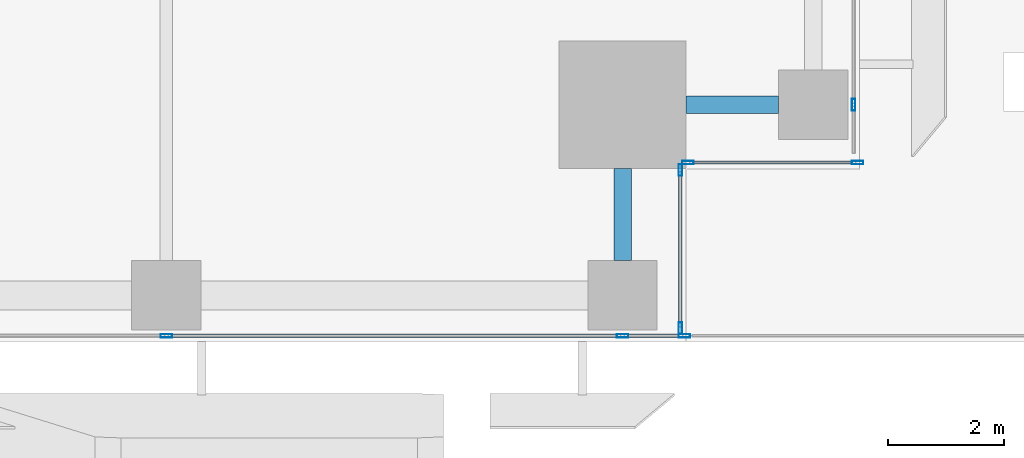
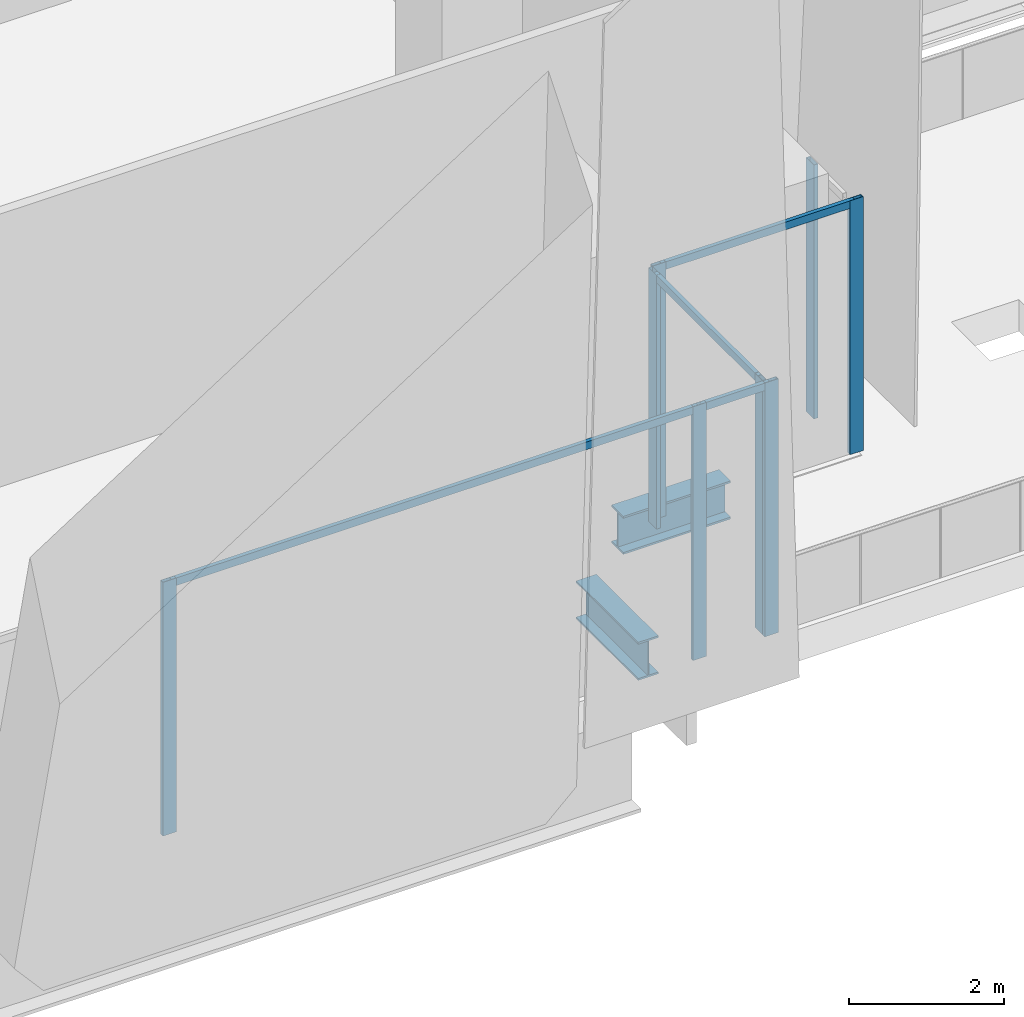
# One storey, part 8 of 46: 12 members, 2 beams, 4 elements without a shape of their own.
"""IFC4 building model written with IfcOpenShell, lengths in metres."""

from ifc_helpers import new_model, si_unit, direction, frame, origin, origin_2d, place, context, subcontext, project, spatial, hollow_rectangle, i_section, extrude, source, transform, mapped, material, material_profile, profile_set, type_object, element, aggregate, save


model = new_model("IFC4")

# Units and contexts
model_context = context("Model", 3, precision=1e-05, world=origin(), true_north=direction((0.0, 1.0)))
body_context = subcontext(model_context, "Body", "Model", "MODEL_VIEW")
ifc_project = project(units=[si_unit("LENGTHUNIT", "METRE"), si_unit("AREAUNIT", "SQUARE_METRE"), si_unit("VOLUMEUNIT", "CUBIC_METRE"), si_unit("PLANEANGLEUNIT", "RADIAN"), si_unit("MASSUNIT", "GRAM", prefix="KILO")], contexts=[model_context])

# Site, building, storey
site_placement = place(None, origin())
site = spatial("IfcSite", under=ifc_project, at=site_placement, CompositionType="ELEMENT")
building_placement = place(site_placement, origin())
building = spatial("IfcBuilding", under=site, at=building_placement, Name="Khomas Fold Tower", CompositionType="ELEMENT")
storey_placement = place(building_placement, frame((0.0, 0.0, 33.0)))
storey = spatial("IfcBuildingStorey", under=building, at=storey_placement, Name="L06", CompositionType="ELEMENT", Elevation=33.0)

# Beams
ifc_material_1 = material(Name="Steel S355", Category="steel")
ifc_material_profile_1 = material_profile(ifc_material_1, i_section(OverallWidth=0.300048828125, OverallDepth=0.60009765625, WebThickness=0.015380859375, FlangeThickness=0.030029296875, at=origin_2d()), Name="HE 600 B")
ifc_profile_set_1 = profile_set([ifc_material_profile_1], Name="Steel S355")
beam_type = type_object("IfcBeamType", Name="HE 600 B spandrel SB1", PredefinedType="SPANDREL", material=ifc_profile_set_1)
shared_shape_1 = source(origin(), body_context, "Body", "SweptSolid", [
    extrude(i_section(OverallWidth=0.300048828125, OverallDepth=0.60009765625, WebThickness=0.015380859375, FlangeThickness=0.030029296875, at=origin_2d()), origin(), (0.0, 0.0, 1.0), 1.60009765625),
])
for number, where, z_axis, x_axis, name in (
    (1, (49.89990234375, 1.39990234375, -0.800048828125), (0.0, 1.0, 0.0), (-1.0, 0.0, 0.0), "SB1"),
    (2, (51.0, 4.10009765625, -0.800048828125), (1.0, 0.0, 0.0), (0.0, 1.0, 0.0), "SB1"),
):
    element("IfcBeam", number, at=place(storey_placement, frame(where, z_axis=z_axis, x_axis=x_axis)), inside=storey, type_object=beam_type, Name=name, PredefinedType="SPANDREL", context=body_context, shape_type="MappedRepresentation", body=[
        mapped(shared_shape_1, transform((0.0, 0.0, 0.0))),
    ])

# Curtain wall, members
ifc_material_2 = material(Name="Aluminium framed double glazing", Category="aluminium")
curtain_wall_type = type_object("IfcCurtainWallType", Name="SK-Unitised clear-glass wall, growing floors CW1", PredefinedType="NOTDEFINED", material=ifc_material_2)
curtain_wall_1_placement = place(storey_placement, origin())
curtain_wall_1 = element("IfcCurtainWall", 3, at=curtain_wall_1_placement, inside=storey, type_object=curtain_wall_type, Name="CW1 run L06 00-0", PredefinedType="NOTDEFINED")
ifc_material_3 = material(Name="Aluminium", Category="aluminium")
ifc_material_profile_2 = material_profile(ifc_material_3, hollow_rectangle(XDim=0.06005859375, YDim=0.199951171875, WallThickness=0.00390625, at=origin_2d()), Name="SK-Unitised clear-glass wall, growing floors mullion CW1-M")
ifc_profile_set_2 = profile_set([ifc_material_profile_2], Name="Aluminium")
member_type_1 = type_object("IfcMemberType", Name="SK-Unitised clear-glass wall, growing floors mullion CW1-M", PredefinedType="MULLION", material=ifc_profile_set_2)
shared_shape_2 = source(origin(), body_context, "Body", "SweptSolid", [
    extrude(hollow_rectangle(XDim=0.06005859375, YDim=0.199951171875, WallThickness=0.00390625, at=origin_2d()), origin(), (0.0, 0.0, 1.0), 4.0),
])
member_1_placement = place(storey_placement, frame((42.0, 0.10009765625, 0.0), z_axis=(0.0, 0.0, 1.0), x_axis=(0.0, 1.0, 0.0)))
member_1 = element("IfcMember", 4, at=member_1_placement, type_object=member_type_1, Name="CW1 mullion 7", PredefinedType="MULLION", context=body_context, shape_type="MappedRepresentation", body=[
    mapped(shared_shape_2, transform((0.0, 0.0, 0.0))),
])
member_2_placement = place(storey_placement, frame((49.89990234375, 0.10009765625, 0.0), z_axis=(0.0, 0.0, 1.0), x_axis=(0.0, 1.0, 0.0)))
member_2 = element("IfcMember", 5, at=member_2_placement, type_object=member_type_1, Name="CW1 mullion 8", PredefinedType="MULLION", context=body_context, shape_type="MappedRepresentation", body=[
    mapped(shared_shape_2, transform((0.0, 0.0, 0.0))),
])
member_3_placement = place(storey_placement, frame((50.969970703125, 0.10009765625, 0.0), z_axis=(0.0, 0.0, 1.0), x_axis=(0.0, 1.0, 0.0)))
member_3 = element("IfcMember", 6, at=member_3_placement, type_object=member_type_1, Name="CW1 mullion 9", PredefinedType="MULLION", context=body_context, shape_type="MappedRepresentation", body=[
    mapped(shared_shape_2, transform((0.0, 0.0, 0.0))),
])

curtain_wall_2_placement = place(storey_placement, origin())
curtain_wall_2 = element("IfcCurtainWall", 7, at=curtain_wall_2_placement, inside=storey, type_object=curtain_wall_type, Name="CW1 corner return L06 01", PredefinedType="NOTDEFINED")
member_4_placement = place(storey_placement, frame((50.89990234375, 0.22998046875, 0.0), z_axis=(0.0, 0.0, 1.0), x_axis=(-1.0, 0.0, 0.0)))
member_4 = element("IfcMember", 8, at=member_4_placement, type_object=member_type_1, Name="CW1 mullion 1", PredefinedType="MULLION", context=body_context, shape_type="MappedRepresentation", body=[
    mapped(shared_shape_2, transform((0.0, 0.0, 0.0))),
])
member_5_placement = place(storey_placement, frame((50.89990234375, 2.969970703125, 0.0), z_axis=(0.0, 0.0, 1.0), x_axis=(-1.0, 0.0, 0.0)))
member_5 = element("IfcMember", 9, at=member_5_placement, type_object=member_type_1, Name="CW1 mullion 2", PredefinedType="MULLION", context=body_context, shape_type="MappedRepresentation", body=[
    mapped(shared_shape_2, transform((0.0, 0.0, 0.0))),
])

curtain_wall_3_placement = place(storey_placement, origin())
curtain_wall_3 = element("IfcCurtainWall", 10, at=curtain_wall_3_placement, inside=storey, type_object=curtain_wall_type, Name="CW1 corner return L06 02", PredefinedType="NOTDEFINED")
member_6_placement = place(storey_placement, frame((51.030029296875, 3.10009765625, 0.0), z_axis=(0.0, 0.0, 1.0), x_axis=(0.0, 1.0, 0.0)))
member_6 = element("IfcMember", 11, at=member_6_placement, type_object=member_type_1, Name="CW1 mullion 1", PredefinedType="MULLION", context=body_context, shape_type="MappedRepresentation", body=[
    mapped(shared_shape_2, transform((0.0, 0.0, 0.0))),
])
member_7_placement = place(storey_placement, frame((53.969970703125, 3.10009765625, 0.0), z_axis=(0.0, 0.0, 1.0), x_axis=(0.0, 1.0, 0.0)))
member_7 = element("IfcMember", 12, at=member_7_placement, type_object=member_type_1, Name="CW1 mullion 2", PredefinedType="MULLION", context=body_context, shape_type="MappedRepresentation", body=[
    mapped(shared_shape_2, transform((0.0, 0.0, 0.0))),
])

# Curtain wall, member
curtain_wall_4_placement = place(storey_placement, origin())
curtain_wall_4 = element("IfcCurtainWall", 13, at=curtain_wall_4_placement, inside=storey, type_object=curtain_wall_type, Name="CW1 run L06 03-0", PredefinedType="NOTDEFINED")
member_8_placement = place(storey_placement, frame((53.89990234375, 4.10009765625, 0.0), z_axis=(0.0, 0.0, 1.0), x_axis=(-1.0, 0.0, 0.0)))
member_8 = element("IfcMember", 14, at=member_8_placement, type_object=member_type_1, Name="CW1 mullion 2", PredefinedType="MULLION", context=body_context, shape_type="MappedRepresentation", body=[
    mapped(shared_shape_2, transform((0.0, 0.0, 0.0))),
])
aggregate(curtain_wall_4, [member_8])

# Member
ifc_material_4 = material(Name="Aluminium", Category="aluminium")
ifc_material_profile_3 = material_profile(ifc_material_4, hollow_rectangle(XDim=0.06005859375, YDim=0.1201171875, WallThickness=0.00390625, at=origin_2d()), Name="SK-Unitised clear-glass wall, growing floors transom CW1-T")
ifc_profile_set_3 = profile_set([ifc_material_profile_3], Name="Aluminium")
member_type_2 = type_object("IfcMemberType", Name="SK-Unitised clear-glass wall, growing floors transom CW1-T", PredefinedType="USERDEFINED", material=ifc_profile_set_3)
shared_shape_3 = source(origin(), body_context, "Body", "SweptSolid", [
    extrude(hollow_rectangle(XDim=0.06005859375, YDim=0.1201171875, WallThickness=0.00390625, at=origin_2d()), origin(), (0.0, 0.0, 1.0), 7.840087890625),
])
member_9_placement = place(storey_placement, frame((42.030029296875, 0.10009765625, 3.93994140625), z_axis=(1.0, 0.0, 0.0), x_axis=(0.0, 1.0, 0.0)))
member_9 = element("IfcMember", 15, at=member_9_placement, type_object=member_type_2, Name="CW1 transom 7", ObjectType="TRANSOM", PredefinedType="USERDEFINED", context=body_context, shape_type="MappedRepresentation", body=[
    mapped(shared_shape_3, transform((0.0, 0.0, 0.0))),
])

shared_shape_4 = source(origin(), body_context, "Body", "SweptSolid", [
    extrude(hollow_rectangle(XDim=0.06005859375, YDim=0.1201171875, WallThickness=0.00390625, at=origin_2d()), origin(), (0.0, 0.0, 1.0), 1.010009765625),
])
member_10_placement = place(storey_placement, frame((49.929931640625, 0.10009765625, 3.93994140625), z_axis=(1.0, 0.0, 0.0), x_axis=(0.0, 1.0, 0.0)))
member_10 = element("IfcMember", 16, at=member_10_placement, type_object=member_type_2, Name="CW1 transom 8", ObjectType="TRANSOM", PredefinedType="USERDEFINED", context=body_context, shape_type="MappedRepresentation", body=[
    mapped(shared_shape_4, transform((0.0, 0.0, 0.0))),
])

aggregate(curtain_wall_1, [member_1, member_2, member_3, member_9, member_10])

shared_shape_5 = source(origin(), body_context, "Body", "SweptSolid", [
    extrude(hollow_rectangle(XDim=0.06005859375, YDim=0.1201171875, WallThickness=0.00390625, at=origin_2d()), origin(), (0.0, 0.0, 1.0), 2.679931640625),
])
member_11_placement = place(storey_placement, frame((50.89990234375, 0.260009765625, 3.93994140625), z_axis=(0.0, 1.0, 0.0), x_axis=(-1.0, 0.0, 0.0)))
member_11 = element("IfcMember", 17, at=member_11_placement, type_object=member_type_2, Name="CW1 transom 1", ObjectType="TRANSOM", PredefinedType="USERDEFINED", context=body_context, shape_type="MappedRepresentation", body=[
    mapped(shared_shape_5, transform((0.0, 0.0, 0.0))),
])

aggregate(curtain_wall_2, [member_4, member_5, member_11])

shared_shape_6 = source(origin(), body_context, "Body", "SweptSolid", [
    extrude(hollow_rectangle(XDim=0.06005859375, YDim=0.1201171875, WallThickness=0.00390625, at=origin_2d()), origin(), (0.0, 0.0, 1.0), 2.8798828125),
])
member_12_placement = place(storey_placement, frame((51.06005859375, 3.10009765625, 3.93994140625), z_axis=(1.0, 0.0, 0.0), x_axis=(0.0, 1.0, 0.0)))
member_12 = element("IfcMember", 18, at=member_12_placement, type_object=member_type_2, Name="CW1 transom 1", ObjectType="TRANSOM", PredefinedType="USERDEFINED", context=body_context, shape_type="MappedRepresentation", body=[
    mapped(shared_shape_6, transform((0.0, 0.0, 0.0))),
])

aggregate(curtain_wall_3, [member_6, member_7, member_12])

save(model, "model.ifc")
